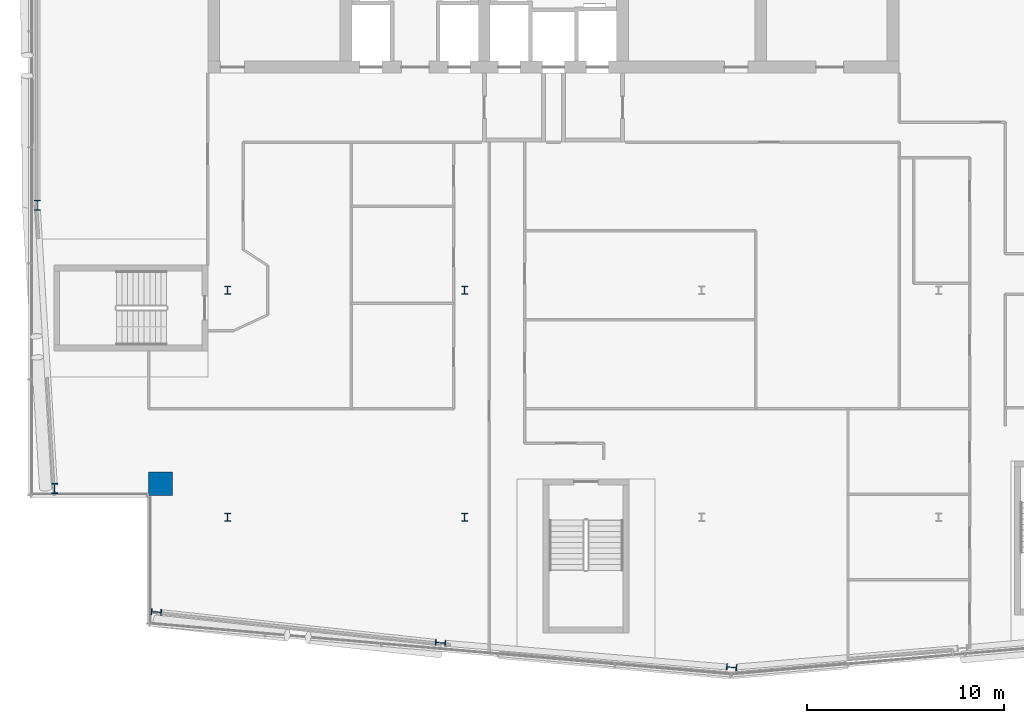
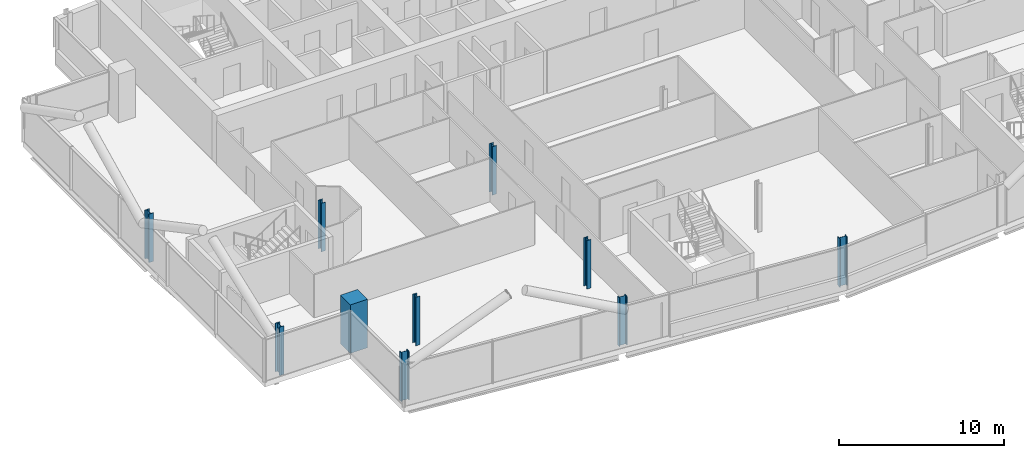
# One storey, part 1 of 25: 10 columns.
"""IFC4 building model written with IfcOpenShell, lengths in metres."""

from ifc_helpers import new_model, si_unit, direction, frame, origin, origin_2d, place, context, subcontext, project, spatial, rectangle, i_section, extrude, material, material_profile, profile_set, type_object, element, save


model = new_model("IFC4")

# Units and contexts
model_context = context("Model", 3, precision=1e-05, world=origin(), true_north=direction((0.0, 1.0)))
body_context = subcontext(model_context, "Body", "Model", "MODEL_VIEW")
ifc_project = project(units=[si_unit("LENGTHUNIT", "METRE"), si_unit("AREAUNIT", "SQUARE_METRE"), si_unit("VOLUMEUNIT", "CUBIC_METRE"), si_unit("PLANEANGLEUNIT", "RADIAN"), si_unit("MASSUNIT", "GRAM", prefix="KILO")], contexts=[model_context])

# Site, building, storey
site_placement = place(None, origin())
site = spatial("IfcSite", under=ifc_project, at=site_placement, CompositionType="ELEMENT")
building_placement = place(site_placement, origin())
building = spatial("IfcBuilding", under=site, at=building_placement, Name="Wharfspan Tower", CompositionType="ELEMENT")
storey_placement = place(building_placement, frame((0.0, 0.0, 225.100098)))
storey = spatial("IfcBuildingStorey", under=building, at=storey_placement, Name="L56", CompositionType="ELEMENT", Elevation=225.100098)

# Columns
ifc_material_1 = material(Name="Steel S355J2", Category="steel")
ifc_material_profile_1 = material_profile(ifc_material_1, i_section(OverallWidth=0.300049, OverallDepth=0.399902, WebThickness=0.013428, FlangeThickness=0.023926, FilletRadius=0.0271, at=origin_2d()))
ifc_profile_set_1 = profile_set([ifc_material_profile_1], Name="Steel S355J2")
column_type_1 = type_object("IfcColumnType", Name="Column HEB 400", PredefinedType="COLUMN", material=ifc_profile_set_1)
for number, where, z_axis, x_axis, name in (
    (1, (24.0, 11.5, 0.0), (0.0, 0.0, 1.0), (1.0, 0.0, 0.0), "Interior column I.1.1 L56"),
    (2, (36.0, 11.5, 0.0), (0.0, 0.0, 1.0), (1.0, 0.0, 0.0), "Interior column I.1.2 L56"),
    (3, (24.0, 23.0, 0.0), (0.0, 0.0, 1.0), (1.0, 0.0, 0.0), "Interior column I.2.1 L56"),
    (4, (36.0, 23.0, 0.0), (0.0, 0.0, 1.0), (1.0, 0.0, 0.0), "Interior column I.2.2 L56"),
):
    element("IfcColumn", number, at=place(storey_placement, frame(where, z_axis=z_axis, x_axis=x_axis)), inside=storey, type_object=column_type_1, Name=name, PredefinedType="COLUMN", context=body_context, shape_type="SweptSolid", body=[
        extrude(i_section(OverallWidth=0.300049, OverallDepth=0.399902, WebThickness=0.013428, FlangeThickness=0.023926, FilletRadius=0.0271, at=origin_2d()), origin(), (0.0, 0.0, 1.0), 3.599854),
    ])
ifc_material_profile_2 = material_profile(ifc_material_1, i_section(OverallWidth=0.305908, OverallDepth=0.523926, WebThickness=0.020996, FlangeThickness=0.040039, FilletRadius=0.0271, at=origin_2d()))
ifc_profile_set_2 = profile_set([ifc_material_profile_2], Name="Steel S355J2")
column_type_2 = type_object("IfcColumnType", Name="Column HEM 500", PredefinedType="COLUMN", material=ifc_profile_set_2)
for number, where, z_axis, x_axis, name in (
    (5, (20.392334, 6.702637, 0.0), (0.0, 0.0, 1.0), (-0.087156, -0.996197, 0.0), "Perimeter column PS1.1 L56"),
    (6, (34.781494, 5.143311, 0.0), (0.0, 0.0, 1.0), (-0.087156, -0.996197, 0.0), "Perimeter column PS1.2 L56"),
    (7, (49.522949, 3.9021, 0.0), (0.0, 0.0, 1.0), (-0.087156, -0.996197, 0.0), "Perimeter column PS1.3 L56"),
    (8, (14.360107, 27.300049, 0.0), (0.0, 0.0, 1.0), (-1.0, 0.0, 0.0), "Perimeter column PW.1 L56"),
    (9, (15.237793, 12.963379, 0.0), (0.0, 0.0, 1.0), (-1.0, 0.0, 0.0), "Perimeter column PW.2 L56"),
):
    element("IfcColumn", number, at=place(storey_placement, frame(where, z_axis=z_axis, x_axis=x_axis)), inside=storey, type_object=column_type_2, Name=name, PredefinedType="COLUMN", context=body_context, shape_type="SweptSolid", body=[
        extrude(i_section(OverallWidth=0.305908, OverallDepth=0.523926, WebThickness=0.020996, FlangeThickness=0.040039, FilletRadius=0.0271, at=origin_2d()), origin(), (0.0, 0.0, 1.0), 3.599854),
    ])
ifc_material_2 = material(Name="Concrete C50/60", Category="concrete")
ifc_material_profile_3 = material_profile(ifc_material_2, rectangle(XDim=1.199951, YDim=1.199951, at=origin_2d()))
ifc_profile_set_3 = profile_set([ifc_material_profile_3], Name="Concrete C50/60")
column_type_3 = type_object("IfcColumnType", Name="Mega column 1200 C50/60", PredefinedType="COLUMN", material=ifc_profile_set_3)
column_placement = place(storey_placement, frame((20.600098, 13.199951, 0.0), z_axis=(0.0, 0.0, 1.0), x_axis=(1.0, 0.0, 0.0)))
element("IfcColumn", 10, at=column_placement, inside=storey, type_object=column_type_3, Name="Mega column MC1 L56", PredefinedType="COLUMN", context=body_context, shape_type="SweptSolid", body=[
    extrude(rectangle(XDim=1.199951, YDim=1.199951, at=origin_2d()), origin(), (0.0, 0.0, 1.0), 3.599854),
])

save(model, "model.ifc")
